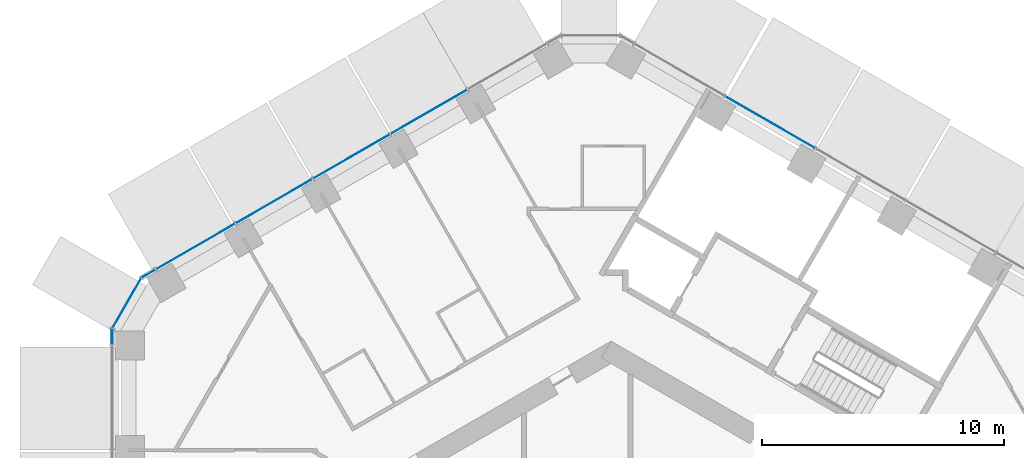
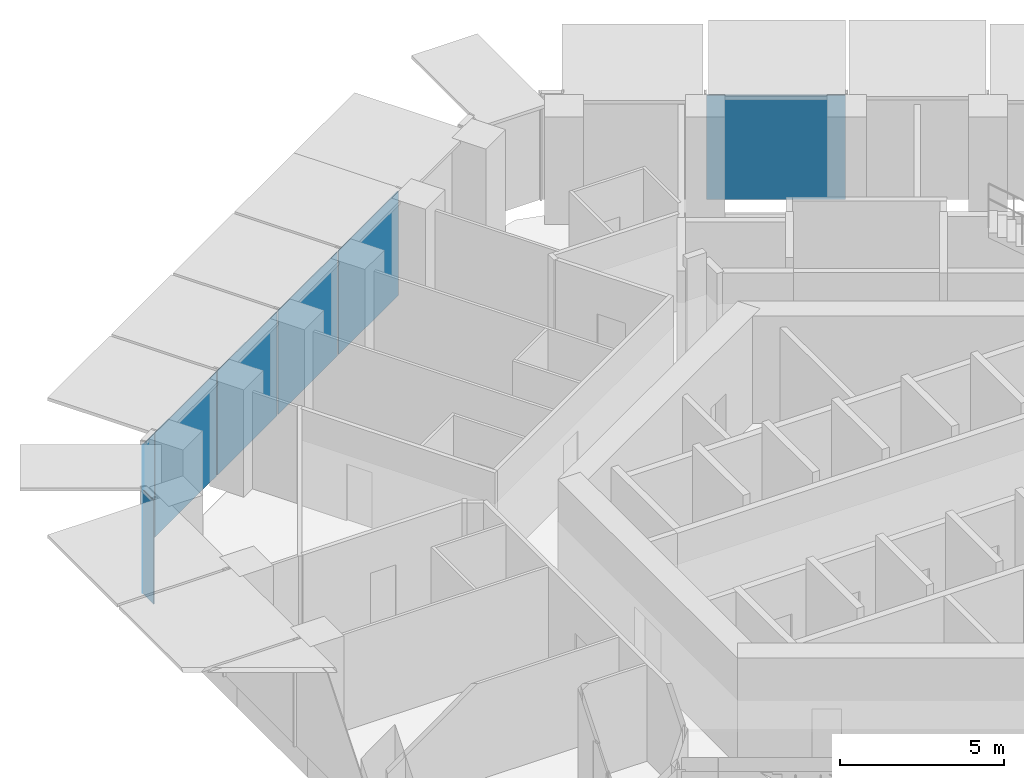
# One storey, part 14 of 28: 8 plates, 3 elements without a shape of their own.
"""IFC4 building model written with IfcOpenShell, lengths in metres."""

from ifc_helpers import new_model, si_unit, direction, frame, origin, origin_2d, place, context, subcontext, project, spatial, rectangle, extrude, material, layer, layer_set, type_object, element, aggregate, save


model = new_model("IFC4")

# Units and contexts
model_context = context("Model", 3, precision=1e-05, world=origin(), true_north=direction((0.0, 1.0)))
body_context = subcontext(model_context, "Body", "Model", "MODEL_VIEW")
ifc_project = project(units=[si_unit("LENGTHUNIT", "METRE"), si_unit("AREAUNIT", "SQUARE_METRE"), si_unit("VOLUMEUNIT", "CUBIC_METRE"), si_unit("PLANEANGLEUNIT", "RADIAN"), si_unit("MASSUNIT", "GRAM", prefix="KILO")], contexts=[model_context])

# Site, building, storey
site_placement = place(None, origin())
site = spatial("IfcSite", under=ifc_project, at=site_placement, CompositionType="ELEMENT")
building_placement = place(site_placement, origin())
building = spatial("IfcBuilding", under=site, at=building_placement, Name="Ayvan Gate Tower", CompositionType="ELEMENT")
storey_placement = place(building_placement, frame((0.0, 0.0, 74.300048828125)))
storey = spatial("IfcBuildingStorey", under=building, at=storey_placement, Name="L19", CompositionType="ELEMENT", Elevation=74.300048828125)

# Curtain wall, plate
ifc_material_1 = material(Name="Bronze anodised aluminium", Category="aluminium")
ifc_layer_1 = layer(ifc_material_1, 0.199951171875)
ifc_layer_set_1 = layer_set([ifc_layer_1], Name="Bronze anodised aluminium")
curtain_wall_type_1 = type_object("IfcCurtainWallType", Name="Stick curtain wall CW-1", PredefinedType="NOTDEFINED", material=ifc_layer_set_1)
curtain_wall_1_placement = place(storey_placement, origin())
curtain_wall_1 = element("IfcCurtainWall", 1, at=curtain_wall_1_placement, inside=storey, type_object=curtain_wall_type_1, Name="Stick curtain wall CW-1 L19", PredefinedType="NOTDEFINED")
ifc_material_2 = material(Name="Clear low-iron laminated glass", Category="glass")
ifc_layer_2 = layer(ifc_material_2, 0.028076171875)
ifc_layer_set_2 = layer_set([ifc_layer_2], Name="Clear low-iron laminated glass")
plate_type_1 = type_object("IfcPlateType", Name="Stick curtain wall CW-1 glass panel", PredefinedType="CURTAIN_PANEL", material=ifc_layer_set_2)
plate_1_placement = place(storey_placement, frame((6.58203125, 20.024658203125, 0.0), z_axis=(0.0, 0.0, 1.0), x_axis=(-0.866025403784, 0.5, 0.0)))
plate_1 = element("IfcPlate", 2, at=plate_1_placement, type_object=plate_type_1, Name="CW-1 glass panel 4", PredefinedType="CURTAIN_PANEL", context=body_context, shape_type="SweptSolid", body=[
    extrude(rectangle(XDim=4.251953125, YDim=0.028076171875, at=origin_2d()), origin(), (0.0, 0.0, 1.0), 3.8798828125),
])
aggregate(curtain_wall_1, [plate_1])

# Curtain wall, plates
curtain_wall_2_placement = place(storey_placement, origin())
curtain_wall_2 = element("IfcCurtainWall", 3, at=curtain_wall_2_placement, inside=storey, type_object=curtain_wall_type_1, Name="Stick curtain wall CW-1 L19", PredefinedType="NOTDEFINED")
plate_2_placement = place(storey_placement, frame((-7.5400390625, 20.455078125, 0.0), z_axis=(0.0, 0.0, 1.0), x_axis=(-0.866025403784, -0.5, 0.0)))
plate_2 = element("IfcPlate", 4, at=plate_2_placement, type_object=plate_type_1, Name="CW-1 glass panel 2", PredefinedType="CURTAIN_PANEL", context=body_context, shape_type="SweptSolid", body=[
    extrude(rectangle(XDim=3.637939453125, YDim=0.028076171875, at=origin_2d()), origin(), (0.0, 0.0, 1.0), 3.8798828125),
])
plate_3_placement = place(storey_placement, frame((-10.7421875, 18.606201171875, 0.0), z_axis=(0.0, 0.0, 1.0), x_axis=(-0.866025403784, -0.5, 0.0)))
plate_3 = element("IfcPlate", 5, at=plate_3_placement, type_object=plate_type_1, Name="CW-1 glass panel 3", PredefinedType="CURTAIN_PANEL", context=body_context, shape_type="SweptSolid", body=[
    extrude(rectangle(XDim=3.636962890625, YDim=0.028076171875, at=origin_2d()), origin(), (0.0, 0.0, 1.0), 3.8798828125),
])
plate_4_placement = place(storey_placement, frame((-13.9443359375, 16.757568359375, 0.0), z_axis=(0.0, 0.0, 1.0), x_axis=(-0.866025403784, -0.5, 0.0)))
plate_4 = element("IfcPlate", 6, at=plate_4_placement, type_object=plate_type_1, Name="CW-1 glass panel 4", PredefinedType="CURTAIN_PANEL", context=body_context, shape_type="SweptSolid", body=[
    extrude(rectangle(XDim=3.637939453125, YDim=0.028076171875, at=origin_2d()), origin(), (0.0, 0.0, 1.0), 3.8798828125),
])
plate_5_placement = place(storey_placement, frame((-17.2041015625, 14.87548828125, 0.0), z_axis=(0.0, 0.0, 1.0), x_axis=(-0.866025403784, -0.5, 0.0)))
plate_5 = element("IfcPlate", 7, at=plate_5_placement, type_object=plate_type_1, Name="CW-1 glass panel 5", PredefinedType="CURTAIN_PANEL", context=body_context, shape_type="SweptSolid", body=[
    extrude(rectangle(XDim=3.77001953125, YDim=0.028076171875, at=origin_2d()), origin(), (0.0, 0.0, 1.0), 3.8798828125),
])
aggregate(curtain_wall_2, [plate_2, plate_3, plate_4, plate_5])

ifc_layer_3 = layer(ifc_material_1, 0.199951171875)
ifc_layer_set_3 = layer_set([ifc_layer_3], Name="Bronze anodised aluminium")
curtain_wall_type_2 = type_object("IfcCurtainWallType", Name="Stick curtain wall CW-6", PredefinedType="NOTDEFINED", material=ifc_layer_set_3)
curtain_wall_3_placement = place(storey_placement, origin())
curtain_wall_3 = element("IfcCurtainWall", 8, at=curtain_wall_3_placement, inside=storey, type_object=curtain_wall_type_2, Name="Stick curtain wall CW-6 L19", PredefinedType="NOTDEFINED")
ifc_layer_4 = layer(ifc_material_2, 0.028076171875)
ifc_layer_set_4 = layer_set([ifc_layer_4], Name="Clear low-iron laminated glass")
plate_type_2 = type_object("IfcPlateType", Name="Stick curtain wall CW-6 glass panel", PredefinedType="CURTAIN_PANEL", material=ifc_layer_set_4)
plate_6_placement = place(storey_placement, frame((-19.13330078125, 13.76171875, 0.0), z_axis=(0.0, 0.0, 1.0), x_axis=(-0.866025403784, -0.5, 0.0)))
plate_6 = element("IfcPlate", 9, at=plate_6_placement, type_object=plate_type_2, Name="CW-6 glass panel 1", PredefinedType="CURTAIN_PANEL", context=body_context, shape_type="SweptSolid", body=[
    extrude(rectangle(XDim=0.625, YDim=0.028076171875, at=origin_2d()), origin(), (0.0, 0.0, 1.0), 3.8798828125),
])
plate_7_placement = place(storey_placement, frame((-20.029052734375, 12.54736328125, 0.0), z_axis=(0.0, 0.0, 1.0), x_axis=(-0.5, -0.866025403784, 0.0)))
plate_7 = element("IfcPlate", 10, at=plate_7_placement, type_object=plate_type_2, Name="CW-6 glass panel 2", PredefinedType="CURTAIN_PANEL", context=body_context, shape_type="SweptSolid", body=[
    extrude(rectangle(XDim=2.364501953125, YDim=0.028076171875, at=origin_2d()), origin(), (0.0, 0.0, 1.0), 3.8798828125),
])
plate_8_placement = place(storey_placement, frame((-20.6328125, 11.164306640625, 0.0), z_axis=(0.0, 0.0, 1.0), x_axis=(0.0, -1.0, 0.0)))
plate_8 = element("IfcPlate", 11, at=plate_8_placement, type_object=plate_type_2, Name="CW-6 glass panel 3", PredefinedType="CURTAIN_PANEL", context=body_context, shape_type="SweptSolid", body=[
    extrude(rectangle(XDim=0.625, YDim=0.028076171875, at=origin_2d()), origin(), (0.0, 0.0, 1.0), 3.8798828125),
])
aggregate(curtain_wall_3, [plate_6, plate_7, plate_8])

save(model, "model.ifc")
